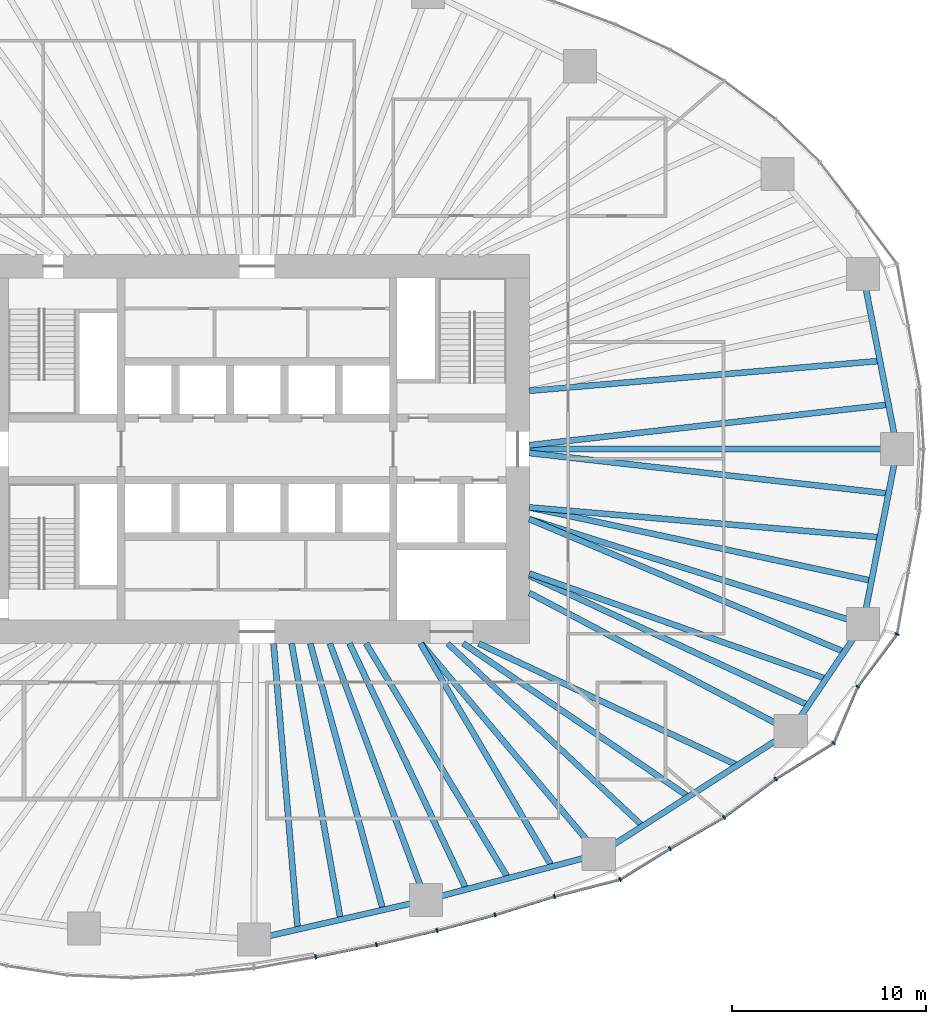
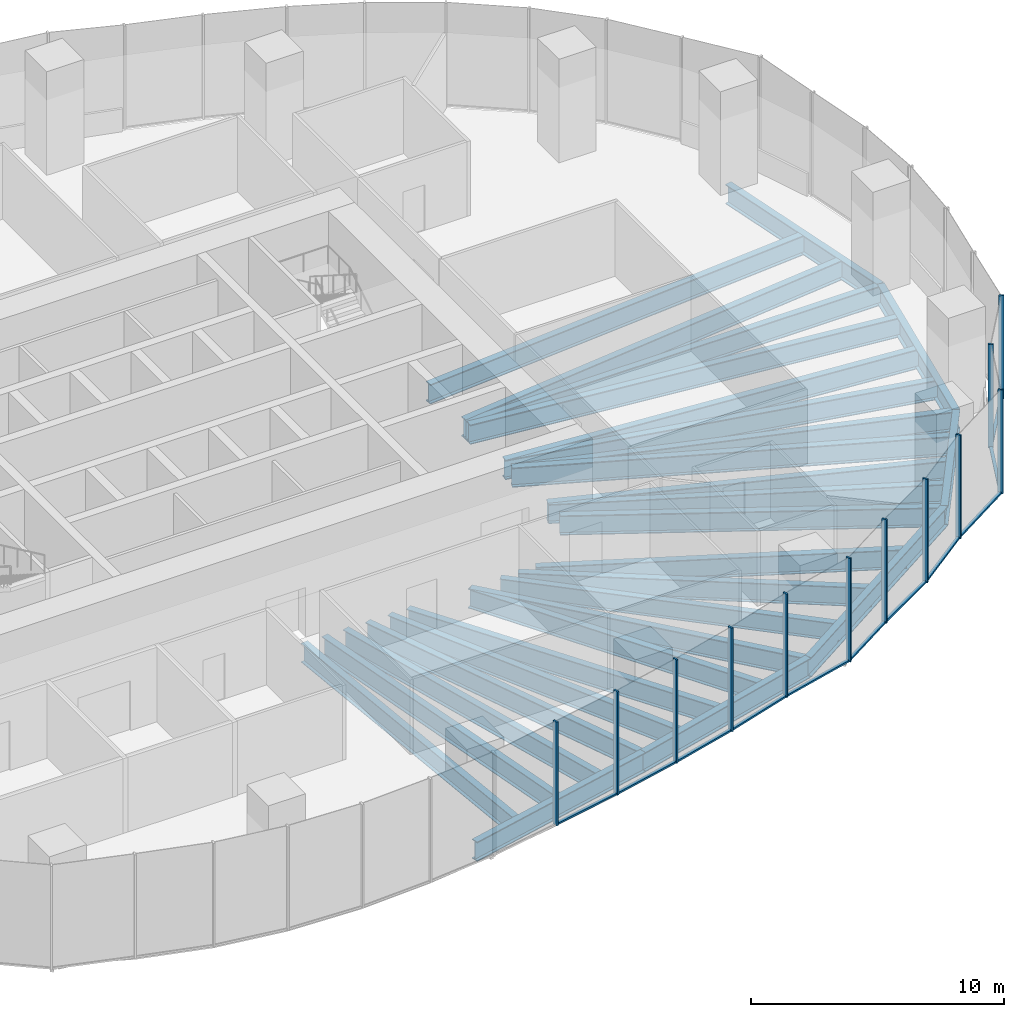
# One storey, part 4 of 20: 28 beams, 23 members, 5 elements without a shape of their own.
"""IFC4 building model written with IfcOpenShell, lengths in metres."""

from ifc_helpers import new_model, si_unit, direction, frame, origin, origin_2d, place, context, subcontext, project, spatial, rectangle, i_section, extrude, material, material_profile, profile_set, type_object, element, aggregate, save


model = new_model("IFC4")

# Units and contexts
model_context = context("Model", 3, precision=1e-05, world=origin(), true_north=direction((0.0, 1.0)))
body_context = subcontext(model_context, "Body", "Model", "MODEL_VIEW")
ifc_project = project(units=[si_unit("LENGTHUNIT", "METRE"), si_unit("AREAUNIT", "SQUARE_METRE"), si_unit("VOLUMEUNIT", "CUBIC_METRE"), si_unit("PLANEANGLEUNIT", "RADIAN"), si_unit("MASSUNIT", "GRAM", prefix="KILO")], contexts=[model_context])

# Site, building, storey
site_placement = place(None, origin())
site = spatial("IfcSite", under=ifc_project, at=site_placement, CompositionType="ELEMENT")
building_placement = place(site_placement, origin())
building = spatial("IfcBuilding", under=site, at=building_placement, Name="Ghaith Harvest Tower", CompositionType="ELEMENT")
storey_placement = place(building_placement, frame((0.0, 0.0, 65.0)))
storey = spatial("IfcBuildingStorey", under=building, at=storey_placement, Name="L13", CompositionType="ELEMENT", Elevation=65.0)

# Curtain wall, members
ifc_material_1 = material(Name="Black anodised aluminium and fritted glass", Category="aluminium")
curtain_wall_type = type_object("IfcCurtainWallType", Name="CW-F CURTAIN WALL", PredefinedType="NOTDEFINED", material=ifc_material_1)
curtain_wall_1_placement = place(storey_placement, origin())
curtain_wall_1 = element("IfcCurtainWall", 1, at=curtain_wall_1_placement, inside=storey, type_object=curtain_wall_type, Name="Curtain wall CW-F bay 16 L13", PredefinedType="NOTDEFINED")
ifc_material_2 = material(Name="Aluminium, black anodised", Category="aluminium")
ifc_material_profile_1 = material_profile(ifc_material_2, rectangle(XDim=0.080078125, YDim=0.219970703125, at=origin_2d()), Name="CW-F MULLION 80x220")
ifc_profile_set_1 = profile_set([ifc_material_profile_1], Name="Aluminium, black anodised")
member_type_1 = type_object("IfcMemberType", Name="CW-F MULLION 80x220", PredefinedType="MULLION", material=ifc_profile_set_1)
member_1_placement = place(storey_placement, frame((3.00927734375, -26.123291015625, 0.0), z_axis=(0.0, 0.0, 1.0), x_axis=(0.981818445714, 0.189822389762, 0.0)))
member_1 = element("IfcMember", 2, at=member_1_placement, type_object=member_type_1, Name="CW-F mullion 2 bay 16 L13", PredefinedType="MULLION", context=body_context, shape_type="SweptSolid", body=[
    extrude(rectangle(XDim=0.080078125, YDim=0.219970703125, at=origin_2d()), origin(), (0.0, 0.0, 1.0), 5.0),
])
member_2_placement = place(storey_placement, frame((6.136962890625, -25.495361328125, 0.0), z_axis=(0.0, 0.0, 1.0), x_axis=(0.977117973572, 0.212698062336, 0.0)))
member_2 = element("IfcMember", 3, at=member_2_placement, type_object=member_type_1, Name="CW-F mullion 3 bay 16 L13", PredefinedType="MULLION", context=body_context, shape_type="SweptSolid", body=[
    extrude(rectangle(XDim=0.080078125, YDim=0.219970703125, at=origin_2d()), origin(), (0.0, 0.0, 1.0), 5.0),
])

curtain_wall_2_placement = place(storey_placement, origin())
curtain_wall_2 = element("IfcCurtainWall", 4, at=curtain_wall_2_placement, inside=storey, type_object=curtain_wall_type, Name="Curtain wall CW-F bay 17 L13", PredefinedType="NOTDEFINED")
member_3_placement = place(storey_placement, frame((9.25732421875, -24.76318359375, 0.0), z_axis=(0.0, 0.0, 1.0), x_axis=(0.969903429248, 0.24348991341, 0.0)))
member_3 = element("IfcMember", 5, at=member_3_placement, type_object=member_type_1, Name="CW-F mullion 1 bay 17 L13", PredefinedType="MULLION", context=body_context, shape_type="SweptSolid", body=[
    extrude(rectangle(XDim=0.080078125, YDim=0.219970703125, at=origin_2d()), origin(), (0.0, 0.0, 1.0), 5.0),
])
member_4_placement = place(storey_placement, frame((12.234375, -23.964599609375, 0.0), z_axis=(0.0, 0.0, 1.0), x_axis=(0.960502189734, 0.278272426799, 0.0)))
member_4 = element("IfcMember", 6, at=member_4_placement, type_object=member_type_1, Name="CW-F mullion 2 bay 17 L13", PredefinedType="MULLION", context=body_context, shape_type="SweptSolid", body=[
    extrude(rectangle(XDim=0.080078125, YDim=0.219970703125, at=origin_2d()), origin(), (0.0, 0.0, 1.0), 5.0),
])
member_5_placement = place(storey_placement, frame((15.28759765625, -23.01611328125, 0.0), z_axis=(0.0, 0.0, 1.0), x_axis=(0.962313144018, 0.27194376781, 0.0)))
member_5 = element("IfcMember", 7, at=member_5_placement, type_object=member_type_1, Name="CW-F mullion 3 bay 17 L13", PredefinedType="MULLION", context=body_context, shape_type="SweptSolid", body=[
    extrude(rectangle(XDim=0.080078125, YDim=0.219970703125, at=origin_2d()), origin(), (0.0, 0.0, 1.0), 5.0),
])

curtain_wall_3_placement = place(storey_placement, origin())
curtain_wall_3 = element("IfcCurtainWall", 8, at=curtain_wall_3_placement, inside=storey, type_object=curtain_wall_type, Name="Curtain wall CW-F bay 18 L13", PredefinedType="NOTDEFINED")
member_6_placement = place(storey_placement, frame((18.674072265625, -22.144775390625, 0.0), z_axis=(0.0, 0.0, 1.0), x_axis=(0.923910199299, 0.382609387799, 0.0)))
member_6 = element("IfcMember", 9, at=member_6_placement, type_object=member_type_1, Name="CW-F mullion 1 bay 18 L13", PredefinedType="MULLION", context=body_context, shape_type="SweptSolid", body=[
    extrude(rectangle(XDim=0.080078125, YDim=0.219970703125, at=origin_2d()), origin(), (0.0, 0.0, 1.0), 5.0),
])
member_7_placement = place(storey_placement, frame((21.2353515625, -20.552978515625, 0.0), z_axis=(0.0, 0.0, 1.0), x_axis=(0.858140414942, 0.513415064293, 0.0)))
member_7 = element("IfcMember", 10, at=member_7_placement, type_object=member_type_1, Name="CW-F mullion 2 bay 18 L13", PredefinedType="MULLION", context=body_context, shape_type="SweptSolid", body=[
    extrude(rectangle(XDim=0.080078125, YDim=0.219970703125, at=origin_2d()), origin(), (0.0, 0.0, 1.0), 5.0),
])
member_8_placement = place(storey_placement, frame((24.018310546875, -18.947265625, 0.0), z_axis=(0.0, 0.0, 1.0), x_axis=(0.835443516838, 0.549576318788, 0.0)))
member_8 = element("IfcMember", 11, at=member_8_placement, type_object=member_type_1, Name="CW-F mullion 3 bay 18 L13", PredefinedType="MULLION", context=body_context, shape_type="SweptSolid", body=[
    extrude(rectangle(XDim=0.080078125, YDim=0.219970703125, at=origin_2d()), origin(), (0.0, 0.0, 1.0), 5.0),
])

curtain_wall_4_placement = place(storey_placement, origin())
curtain_wall_4 = element("IfcCurtainWall", 12, at=curtain_wall_4_placement, inside=storey, type_object=curtain_wall_type, Name="Curtain wall CW-F bay 19 L13", PredefinedType="NOTDEFINED")
member_9_placement = place(storey_placement, frame((26.673828125, -16.9755859375, 0.0), z_axis=(0.0, 0.0, 1.0), x_axis=(0.828002038115, 0.560725088504, 0.0)))
member_9 = element("IfcMember", 13, at=member_9_placement, type_object=member_type_1, Name="CW-F mullion 1 bay 19 L13", PredefinedType="MULLION", context=body_context, shape_type="SweptSolid", body=[
    extrude(rectangle(XDim=0.080078125, YDim=0.219970703125, at=origin_2d()), origin(), (0.0, 0.0, 1.0), 5.0),
])
member_10_placement = place(storey_placement, frame((29.659912109375, -15.126953125, 0.0), z_axis=(0.0, 0.0, 1.0), x_axis=(0.663604797505, 0.748083332743, 0.0)))
member_10 = element("IfcMember", 14, at=member_10_placement, type_object=member_type_1, Name="CW-F mullion 2 bay 19 L13", PredefinedType="MULLION", context=body_context, shape_type="SweptSolid", body=[
    extrude(rectangle(XDim=0.080078125, YDim=0.219970703125, at=origin_2d()), origin(), (0.0, 0.0, 1.0), 5.0),
])
member_11_placement = place(storey_placement, frame((30.896728515625, -12.215087890625, 0.0), z_axis=(0.0, 0.0, 1.0), x_axis=(0.5027946428, 0.864405892606, 0.0)))
member_11 = element("IfcMember", 15, at=member_11_placement, type_object=member_type_1, Name="CW-F mullion 3 bay 19 L13", PredefinedType="MULLION", context=body_context, shape_type="SweptSolid", body=[
    extrude(rectangle(XDim=0.080078125, YDim=0.219970703125, at=origin_2d()), origin(), (0.0, 0.0, 1.0), 5.0),
])

# Curtain wall, member
curtain_wall_5_placement = place(storey_placement, origin())
curtain_wall_5 = element("IfcCurtainWall", 16, at=curtain_wall_5_placement, inside=storey, type_object=curtain_wall_type, Name="Curtain wall CW-F bay 20 L13", PredefinedType="NOTDEFINED")
member_12_placement = place(storey_placement, frame((32.923583984375, -9.515625, 0.0), z_axis=(0.0, 0.0, 1.0), x_axis=(0.404701694001, 0.914448762301, 0.0)))
member_12 = element("IfcMember", 17, at=member_12_placement, type_object=member_type_1, Name="CW-F mullion 1 bay 20 L13", PredefinedType="MULLION", context=body_context, shape_type="SweptSolid", body=[
    extrude(rectangle(XDim=0.080078125, YDim=0.219970703125, at=origin_2d()), origin(), (0.0, 0.0, 1.0), 5.0),
])
aggregate(curtain_wall_5, [member_12])

# Member
ifc_material_3 = material(Name="Aluminium, black anodised", Category="aluminium")
ifc_material_profile_2 = material_profile(ifc_material_3, rectangle(XDim=0.139892578125, YDim=0.080078125, at=origin_2d()), Name="CW-F TRANSOM 140x80")
ifc_profile_set_2 = profile_set([ifc_material_profile_2], Name="Aluminium, black anodised")
member_type_2 = type_object("IfcMemberType", Name="CW-F TRANSOM 140x80", PredefinedType="USERDEFINED", material=ifc_profile_set_2)
member_13_placement = place(storey_placement, frame((3.04833984375, -26.115478515625, 0.0400390625), z_axis=(0.980432471193, 0.196855707129, 0.0), x_axis=(-0.196855707129, 0.980432471193, 0.0)))
member_13 = element("IfcMember", 18, at=member_13_placement, type_object=member_type_2, Name="CW-F transom 2 bay 16 L13", ObjectType="TRANSOM", PredefinedType="USERDEFINED", context=body_context, shape_type="SweptSolid", body=[
    extrude(rectangle(XDim=0.139892578125, YDim=0.080078125, at=origin_2d()), origin(), (0.0, 0.0, 1.0), 3.1103515625),
])

member_14_placement = place(storey_placement, frame((6.176025390625, -25.486083984375, 0.0400390625), z_axis=(0.973560415159, 0.228429678537, 0.0), x_axis=(-0.228429678537, 0.973560415159, 0.0)))
member_14 = element("IfcMember", 19, at=member_14_placement, type_object=member_type_2, Name="CW-F transom 3 bay 16 L13", ObjectType="TRANSOM", PredefinedType="USERDEFINED", context=body_context, shape_type="SweptSolid", body=[
    extrude(rectangle(XDim=0.139892578125, YDim=0.080078125, at=origin_2d()), origin(), (0.0, 0.0, 1.0), 3.125),
])

aggregate(curtain_wall_1, [member_1, member_13, member_2, member_14])

member_15_placement = place(storey_placement, frame((9.2958984375, -24.7529296875, 0.0400390625), z_axis=(0.965832908495, 0.259165570377, 0.0), x_axis=(-0.259165570377, 0.965832908495, 0.0)))
member_15 = element("IfcMember", 20, at=member_15_placement, type_object=member_type_2, Name="CW-F transom 1 bay 17 L13", ObjectType="TRANSOM", PredefinedType="USERDEFINED", context=body_context, shape_type="SweptSolid", body=[
    extrude(rectangle(XDim=0.139892578125, YDim=0.080078125, at=origin_2d()), origin(), (0.0, 0.0, 1.0), 3.002197265625),
])

member_16_placement = place(storey_placement, frame((12.2724609375, -23.95263671875, 0.0400390625), z_axis=(0.954998362353, 0.296611071781, 0.0), x_axis=(-0.296611071781, 0.954998362353, 0.0)))
member_16 = element("IfcMember", 21, at=member_16_placement, type_object=member_type_2, Name="CW-F transom 2 bay 17 L13", ObjectType="TRANSOM", PredefinedType="USERDEFINED", context=body_context, shape_type="SweptSolid", body=[
    extrude(rectangle(XDim=0.139892578125, YDim=0.080078125, at=origin_2d()), origin(), (0.0, 0.0, 1.0), 3.1171875),
])

member_17_placement = place(storey_placement, frame((15.326171875, -23.006103515625, 0.0400390625), z_axis=(0.968463874592, 0.249154015841, 0.0), x_axis=(-0.249154015841, 0.968463874592, 0.0)))
member_17 = element("IfcMember", 22, at=member_17_placement, type_object=member_type_2, Name="CW-F transom 3 bay 17 L13", ObjectType="TRANSOM", PredefinedType="USERDEFINED", context=body_context, shape_type="SweptSolid", body=[
    extrude(rectangle(XDim=0.139892578125, YDim=0.080078125, at=origin_2d()), origin(), (0.0, 0.0, 1.0), 3.416748046875),
])

aggregate(curtain_wall_2, [member_3, member_15, member_4, member_16, member_5, member_17])

member_18_placement = place(storey_placement, frame((18.7080078125, -22.12353515625, 0.0400390625), z_axis=(0.849383069026, 0.527776848726, 0.0), x_axis=(-0.527776848726, 0.849383069026, 0.0)))
member_18 = element("IfcMember", 23, at=member_18_placement, type_object=member_type_2, Name="CW-F transom 1 bay 18 L13", ObjectType="TRANSOM", PredefinedType="USERDEFINED", context=body_context, shape_type="SweptSolid", body=[
    extrude(rectangle(XDim=0.139892578125, YDim=0.080078125, at=origin_2d()), origin(), (0.0, 0.0, 1.0), 2.935546875),
])

member_19_placement = place(storey_placement, frame((21.27001953125, -20.532958984375, 0.0400390625), z_axis=(0.866168719914, 0.499751686983, 0.0), x_axis=(-0.499751686983, 0.866168719914, 0.0)))
member_19 = element("IfcMember", 24, at=member_19_placement, type_object=member_type_2, Name="CW-F transom 2 bay 18 L13", ObjectType="TRANSOM", PredefinedType="USERDEFINED", context=body_context, shape_type="SweptSolid", body=[
    extrude(rectangle(XDim=0.139892578125, YDim=0.080078125, at=origin_2d()), origin(), (0.0, 0.0, 1.0), 3.1328125),
])

member_20_placement = place(storey_placement, frame((24.050537109375, -18.92333984375, 0.0400390625), z_axis=(0.802877287823, 0.596144328748, 0.0), x_axis=(-0.596144328748, 0.802877287823, 0.0)))
member_20 = element("IfcMember", 25, at=member_20_placement, type_object=member_type_2, Name="CW-F transom 3 bay 18 L13", ObjectType="TRANSOM", PredefinedType="USERDEFINED", context=body_context, shape_type="SweptSolid", body=[
    extrude(rectangle(XDim=0.139892578125, YDim=0.080078125, at=origin_2d()), origin(), (0.0, 0.0, 1.0), 3.2275390625),
])

aggregate(curtain_wall_3, [member_6, member_18, member_7, member_19, member_8, member_20])

member_21_placement = place(storey_placement, frame((26.707763671875, -16.954345703125, 0.0400390625), z_axis=(0.850260598386, 0.526361961802, 0.0), x_axis=(-0.526361961802, 0.850260598386, 0.0)))
member_21 = element("IfcMember", 26, at=member_21_placement, type_object=member_type_2, Name="CW-F transom 1 bay 19 L13", ObjectType="TRANSOM", PredefinedType="USERDEFINED", context=body_context, shape_type="SweptSolid", body=[
    extrude(rectangle(XDim=0.139892578125, YDim=0.080078125, at=origin_2d()), origin(), (0.0, 0.0, 1.0), 3.431884765625),
])

member_22_placement = place(storey_placement, frame((29.675537109375, -15.090087890625, 0.0400390625), z_axis=(0.390936107494, 0.92041781809, 0.0), x_axis=(-0.92041781809, 0.390936107494, 0.0)))
member_22 = element("IfcMember", 27, at=member_22_placement, type_object=member_type_2, Name="CW-F transom 2 bay 19 L13", ObjectType="TRANSOM", PredefinedType="USERDEFINED", context=body_context, shape_type="SweptSolid", body=[
    extrude(rectangle(XDim=0.139892578125, YDim=0.080078125, at=origin_2d()), origin(), (0.0, 0.0, 1.0), 3.083740234375),
])

member_23_placement = place(storey_placement, frame((30.920654296875, -12.18310546875, 0.0400390625), z_axis=(0.600462135687, 0.799653189581, 0.0), x_axis=(-0.799653189581, 0.600462135687, 0.0)))
member_23 = element("IfcMember", 28, at=member_23_placement, type_object=member_type_2, Name="CW-F transom 3 bay 19 L13", ObjectType="TRANSOM", PredefinedType="USERDEFINED", context=body_context, shape_type="SweptSolid", body=[
    extrude(rectangle(XDim=0.139892578125, YDim=0.080078125, at=origin_2d()), origin(), (0.0, 0.0, 1.0), 3.2958984375),
])

aggregate(curtain_wall_4, [member_9, member_21, member_10, member_22, member_11, member_23])

# Beams
ifc_material_4 = material(Name="Steel ASTM A992 Grade 50", Category="steel")
ifc_material_profile_3 = material_profile(ifc_material_4, i_section(OverallWidth=0.306884765625, OverallDepth=0.94189453125, WebThickness=0.022216796875, FlangeThickness=0.039794921875, at=origin_2d()), Name="W920X345")
ifc_profile_set_3 = profile_set([ifc_material_profile_3], Name="Steel ASTM A992 Grade 50")
beam_type_1 = type_object("IfcBeamType", Name="E920-345 W920X345", PredefinedType="SPANDREL", material=ifc_profile_set_3)
beam_1_placement = place(storey_placement, frame((32.925048828125, 0.0, -0.6708984375), z_axis=(-0.191653479461, 0.981462655332, 0.0), x_axis=(-0.981462655332, -0.191653479461, 0.0)))
element("IfcBeam", 29, at=beam_1_placement, inside=storey, type_object=beam_type_1, Name="Edge beam E01 L13", PredefinedType="SPANDREL", context=body_context, shape_type="SweptSolid", body=[
    extrude(i_section(OverallWidth=0.306884765625, OverallDepth=0.94189453125, WebThickness=0.022216796875, FlangeThickness=0.039794921875, at=origin_2d()), origin(), (0.0, 0.0, 1.0), 9.17822265625),
])
beam_2_placement = place(storey_placement, frame((-0.173095703125, -25.22412109375, -0.6708984375), z_axis=(0.974881709383, 0.22272326486, 0.0), x_axis=(-0.22272326486, 0.974881709383, 0.0)))
element("IfcBeam", 30, at=beam_2_placement, inside=storey, type_object=beam_type_1, Name="Edge beam E16 L13", PredefinedType="SPANDREL", context=body_context, shape_type="SweptSolid", body=[
    extrude(i_section(OverallWidth=0.306884765625, OverallDepth=0.94189453125, WebThickness=0.022216796875, FlangeThickness=0.039794921875, at=origin_2d()), origin(), (0.0, 0.0, 1.0), 9.0751953125),
])
beam_3_placement = place(storey_placement, frame((8.674072265625, -23.202880859375, -0.6708984375), z_axis=(0.966419097109, 0.256971065963, 0.0), x_axis=(-0.256971065963, 0.966419097109, 0.0)))
element("IfcBeam", 31, at=beam_3_placement, inside=storey, type_object=beam_type_1, Name="Edge beam E17 L13", PredefinedType="SPANDREL", context=body_context, shape_type="SweptSolid", body=[
    extrude(i_section(OverallWidth=0.306884765625, OverallDepth=0.94189453125, WebThickness=0.022216796875, FlangeThickness=0.039794921875, at=origin_2d()), origin(), (0.0, 0.0, 1.0), 9.20703125),
])
beam_4_placement = place(storey_placement, frame((17.572021484375, -20.8369140625, -0.6708984375), z_axis=(0.842014649705, 0.539454659524, 0.0), x_axis=(-0.539454659524, 0.842014649705, 0.0)))
element("IfcBeam", 32, at=beam_4_placement, inside=storey, type_object=beam_type_1, Name="Edge beam E18 L13", PredefinedType="SPANDREL", context=body_context, shape_type="SweptSolid", body=[
    extrude(i_section(OverallWidth=0.306884765625, OverallDepth=0.94189453125, WebThickness=0.022216796875, FlangeThickness=0.039794921875, at=origin_2d()), origin(), (0.0, 0.0, 1.0), 11.730224609375),
])
beam_5_placement = place(storey_placement, frame((27.448974609375, -14.509033203125, -0.6708984375), z_axis=(0.559874470017, 0.828577442261, 0.0), x_axis=(-0.828577442261, 0.559874470017, 0.0)))
element("IfcBeam", 33, at=beam_5_placement, inside=storey, type_object=beam_type_1, Name="Edge beam E19 L13", PredefinedType="SPANDREL", context=body_context, shape_type="SweptSolid", body=[
    extrude(i_section(OverallWidth=0.306884765625, OverallDepth=0.94189453125, WebThickness=0.022216796875, FlangeThickness=0.039794921875, at=origin_2d()), origin(), (0.0, 0.0, 1.0), 6.63916015625),
])
beam_6_placement = place(storey_placement, frame((31.166015625, -9.008056640625, -0.6708984375), z_axis=(0.191653479461, 0.981462655332, 0.0), x_axis=(-0.981462655332, 0.191653479461, 0.0)))
element("IfcBeam", 34, at=beam_6_placement, inside=storey, type_object=beam_type_1, Name="Edge beam E20 L13", PredefinedType="SPANDREL", context=body_context, shape_type="SweptSolid", body=[
    extrude(i_section(OverallWidth=0.306884765625, OverallDepth=0.94189453125, WebThickness=0.022216796875, FlangeThickness=0.039794921875, at=origin_2d()), origin(), (0.0, 0.0, 1.0), 9.17822265625),
])
ifc_material_5 = material(Name="Steel ASTM A992 Grade 50", Category="steel")
ifc_material_profile_4 = material_profile(ifc_material_5, i_section(OverallWidth=0.306884765625, OverallDepth=0.94189453125, WebThickness=0.022216796875, FlangeThickness=0.039794921875, at=origin_2d()), Name="W920X345")
ifc_profile_set_4 = profile_set([ifc_material_profile_4], Name="Steel ASTM A992 Grade 50")
beam_type_2 = type_object("IfcBeamType", Name="G920-345 W920X345", PredefinedType="BEAM", material=ifc_profile_set_4)
beam_7_placement = place(storey_placement, frame((14.0, 0.0, -0.6708984375), z_axis=(1.0, 0.0, 0.0), x_axis=(0.0, 1.0, 0.0)))
element("IfcBeam", 35, at=beam_7_placement, inside=storey, type_object=beam_type_2, Name="Radial girder G01 L13", PredefinedType="BEAM", context=body_context, shape_type="SweptSolid", body=[
    extrude(i_section(OverallWidth=0.306884765625, OverallDepth=0.94189453125, WebThickness=0.022216796875, FlangeThickness=0.039794921875, at=origin_2d()), origin(), (0.0, 0.0, 1.0), 18.925048828125),
])
beam_8_placement = place(storey_placement, frame((3.73828125, -10.0, -0.6708984375), z_axis=(0.350172283717, -0.936685310932, 0.0), x_axis=(0.936685310932, 0.350172283717, 0.0)))
element("IfcBeam", 36, at=beam_8_placement, inside=storey, type_object=beam_type_2, Name="Radial girder G17 L13", PredefinedType="BEAM", context=body_context, shape_type="SweptSolid", body=[
    extrude(i_section(OverallWidth=0.306884765625, OverallDepth=0.94189453125, WebThickness=0.022216796875, FlangeThickness=0.039794921875, at=origin_2d()), origin(), (0.0, 0.0, 1.0), 14.09521484375),
])
beam_9_placement = place(storey_placement, frame((8.4326171875, -10.0, -0.6708984375), z_axis=(0.644696130938, -0.764438943771, 0.0), x_axis=(0.764438943771, 0.644696130938, 0.0)))
element("IfcBeam", 37, at=beam_9_placement, inside=storey, type_object=beam_type_2, Name="Radial girder G18 L13", PredefinedType="BEAM", context=body_context, shape_type="SweptSolid", body=[
    extrude(i_section(OverallWidth=0.306884765625, OverallDepth=0.94189453125, WebThickness=0.022216796875, FlangeThickness=0.039794921875, at=origin_2d()), origin(), (0.0, 0.0, 1.0), 14.17626953125),
])
beam_10_placement = place(storey_placement, frame((14.0, -7.39990234375, -0.6708984375), z_axis=(0.884084425997, -0.467327216959, 0.0), x_axis=(0.467327216959, 0.884084425997, 0.0)))
element("IfcBeam", 38, at=beam_10_placement, inside=storey, type_object=beam_type_2, Name="Radial girder G19 L13", PredefinedType="BEAM", context=body_context, shape_type="SweptSolid", body=[
    extrude(i_section(OverallWidth=0.306884765625, OverallDepth=0.94189453125, WebThickness=0.022216796875, FlangeThickness=0.039794921875, at=origin_2d()), origin(), (0.0, 0.0, 1.0), 15.21240234375),
])
beam_11_placement = place(storey_placement, frame((14.0, -3.60009765625, -0.6708984375), z_axis=(0.953788071692, -0.300480139607, 0.0), x_axis=(0.300480139607, 0.953788071692, 0.0)))
element("IfcBeam", 39, at=beam_11_placement, inside=storey, type_object=beam_type_2, Name="Radial girder G20 L13", PredefinedType="BEAM", context=body_context, shape_type="SweptSolid", body=[
    extrude(i_section(OverallWidth=0.306884765625, OverallDepth=0.94189453125, WebThickness=0.022216796875, FlangeThickness=0.039794921875, at=origin_2d()), origin(), (0.0, 0.0, 1.0), 17.997802734375),
])
ifc_material_6 = material(Name="Steel ASTM A992 Grade 50", Category="steel")
ifc_material_profile_5 = material_profile(ifc_material_6, i_section(OverallWidth=0.2939453125, OverallDepth=0.85107421875, WebThickness=0.01611328125, FlangeThickness=0.02685546875, at=origin_2d()), Name="W840X226")
ifc_profile_set_5 = profile_set([ifc_material_profile_5], Name="Steel ASTM A992 Grade 50")
beam_type_3 = type_object("IfcBeamType", Name="J840-226 W840X226", PredefinedType="JOIST", material=ifc_profile_set_5)
beam_12_placement = place(storey_placement, frame((9.800048828125, -10.0, -0.62548828125), z_axis=(0.72994990542, -0.683500647825, 0.0), x_axis=(0.683500647825, 0.72994990542, 0.0)))
element("IfcBeam", 40, at=beam_12_placement, inside=storey, type_object=beam_type_3, Name="Joist J18.1 L13", PredefinedType="JOIST", context=body_context, shape_type="SweptSolid", body=[
    extrude(i_section(OverallWidth=0.2939453125, OverallDepth=0.85107421875, WebThickness=0.01611328125, FlangeThickness=0.02685546875, at=origin_2d()), origin(), (0.0, 0.0, 1.0), 13.7392578125),
])
ifc_material_7 = material(Name="Steel ASTM A992 Grade 50", Category="steel")
ifc_material_profile_6 = material_profile(ifc_material_7, i_section(OverallWidth=0.31005859375, OverallDepth=0.927001953125, WebThickness=0.019287109375, FlangeThickness=0.031982421875, at=origin_2d()), Name="W920X289")
ifc_profile_set_6 = profile_set([ifc_material_profile_6], Name="Steel ASTM A992 Grade 50")
beam_type_4 = type_object("IfcBeamType", Name="J920-289 W920X289", PredefinedType="JOIST", material=ifc_profile_set_6)
beam_13_placement = place(storey_placement, frame((0.844970703125, -10.0, -0.66357421875), z_axis=(0.084208979751, -0.996448115924, 0.0), x_axis=(0.996448115924, 0.084208979751, 0.0)))
element("IfcBeam", 41, at=beam_13_placement, inside=storey, type_object=beam_type_4, Name="Joist J16.1 L13", PredefinedType="JOIST", context=body_context, shape_type="SweptSolid", body=[
    extrude(i_section(OverallWidth=0.31005859375, OverallDepth=0.927001953125, WebThickness=0.019287109375, FlangeThickness=0.031982421875, at=origin_2d()), origin(), (0.0, 0.0, 1.0), 14.760009765625),
])
beam_14_placement = place(storey_placement, frame((1.772705078125, -10.0, -0.66357421875), z_axis=(0.174552818486, -0.98464781194, 0.0), x_axis=(0.98464781194, 0.174552818486, 0.0)))
element("IfcBeam", 42, at=beam_14_placement, inside=storey, type_object=beam_type_4, Name="Joist J16.2 L13", PredefinedType="JOIST", context=body_context, shape_type="SweptSolid", body=[
    extrude(i_section(OverallWidth=0.31005859375, OverallDepth=0.927001953125, WebThickness=0.019287109375, FlangeThickness=0.031982421875, at=origin_2d()), origin(), (0.0, 0.0, 1.0), 14.42578125),
])
beam_15_placement = place(storey_placement, frame((2.73095703125, -10.0, -0.66357421875), z_axis=(0.263463446032, -0.964669379946, 0.0), x_axis=(0.964669379946, 0.263463446032, 0.0)))
element("IfcBeam", 43, at=beam_15_placement, inside=storey, type_object=beam_type_4, Name="Joist J16.3 L13", PredefinedType="JOIST", context=body_context, shape_type="SweptSolid", body=[
    extrude(i_section(OverallWidth=0.31005859375, OverallDepth=0.927001953125, WebThickness=0.019287109375, FlangeThickness=0.031982421875, at=origin_2d()), origin(), (0.0, 0.0, 1.0), 14.20751953125),
])
beam_16_placement = place(storey_placement, frame((4.75, -10.0, -0.66357421875), z_axis=(0.429067127754, -0.903272605519, 0.0), x_axis=(0.903272605519, 0.429067127754, 0.0)))
element("IfcBeam", 44, at=beam_16_placement, inside=storey, type_object=beam_type_4, Name="Joist J17.1 L13", PredefinedType="JOIST", context=body_context, shape_type="SweptSolid", body=[
    extrude(i_section(OverallWidth=0.31005859375, OverallDepth=0.927001953125, WebThickness=0.019287109375, FlangeThickness=0.031982421875, at=origin_2d()), origin(), (0.0, 0.0, 1.0), 14.003173828125),
])
beam_17_placement = place(storey_placement, frame((5.60009765625, -10.0, -0.66357421875), z_axis=(0.517828660199, -0.855484353262, 0.0), x_axis=(0.855484353262, 0.517828660199, 0.0)))
element("IfcBeam", 45, at=beam_17_placement, inside=storey, type_object=beam_type_4, Name="Joist J17.2 L13", PredefinedType="JOIST", context=body_context, shape_type="SweptSolid", body=[
    extrude(i_section(OverallWidth=0.31005859375, OverallDepth=0.927001953125, WebThickness=0.019287109375, FlangeThickness=0.031982421875, at=origin_2d()), origin(), (0.0, 0.0, 1.0), 14.11669921875),
])
beam_18_placement = place(storey_placement, frame((8.39990234375, -10.0, -0.66357421875), z_axis=(0.507894375661, -0.861419353841, 0.0), x_axis=(0.861419353841, 0.507894375661, 0.0)))
element("IfcBeam", 46, at=beam_18_placement, inside=storey, type_object=beam_type_4, Name="Joist J17.3 L13", PredefinedType="JOIST", context=body_context, shape_type="SweptSolid", body=[
    extrude(i_section(OverallWidth=0.31005859375, OverallDepth=0.927001953125, WebThickness=0.019287109375, FlangeThickness=0.031982421875, at=origin_2d()), origin(), (0.0, 0.0, 1.0), 13.32275390625),
])
beam_19_placement = place(storey_placement, frame((10.60009765625, -10.0, -0.66357421875), z_axis=(0.826982555637, -0.562227580853, 0.0), x_axis=(0.562227580853, 0.826982555637, 0.0)))
element("IfcBeam", 47, at=beam_19_placement, inside=storey, type_object=beam_type_4, Name="Joist J18.2 L13", PredefinedType="JOIST", context=body_context, shape_type="SweptSolid", body=[
    extrude(i_section(OverallWidth=0.31005859375, OverallDepth=0.927001953125, WebThickness=0.019287109375, FlangeThickness=0.031982421875, at=origin_2d()), origin(), (0.0, 0.0, 1.0), 14.013671875),
])
beam_20_placement = place(storey_placement, frame((11.39990234375, -10.0, -0.66357421875), z_axis=(0.904709580205, -0.426028843489, 0.0), x_axis=(0.426028843489, 0.904709580205, 0.0)))
element("IfcBeam", 48, at=beam_20_placement, inside=storey, type_object=beam_type_4, Name="Joist J18.3 L13", PredefinedType="JOIST", context=body_context, shape_type="SweptSolid", body=[
    extrude(i_section(OverallWidth=0.31005859375, OverallDepth=0.927001953125, WebThickness=0.019287109375, FlangeThickness=0.031982421875, at=origin_2d()), origin(), (0.0, 0.0, 1.0), 14.708251953125),
])
beam_21_placement = place(storey_placement, frame((14.0, -6.506103515625, -0.66357421875), z_axis=(0.906865804441, -0.421419521067, 0.0), x_axis=(0.421419521067, 0.906865804441, 0.0)))
element("IfcBeam", 49, at=beam_21_placement, inside=storey, type_object=beam_type_4, Name="Joist J19.1 L13", PredefinedType="JOIST", context=body_context, shape_type="SweptSolid", body=[
    extrude(i_section(OverallWidth=0.31005859375, OverallDepth=0.927001953125, WebThickness=0.019287109375, FlangeThickness=0.031982421875, at=origin_2d()), origin(), (0.0, 0.0, 1.0), 15.824462890625),
])
ifc_material_8 = material(Name="Steel ASTM A992 Grade 50", Category="steel")
ifc_material_profile_7 = material_profile(ifc_material_8, i_section(OverallWidth=0.306884765625, OverallDepth=0.94189453125, WebThickness=0.022216796875, FlangeThickness=0.039794921875, at=origin_2d()), Name="W920X345")
ifc_profile_set_7 = profile_set([ifc_material_profile_7], Name="Steel ASTM A992 Grade 50")
beam_type_5 = type_object("IfcBeamType", Name="J920-345 W920X345", PredefinedType="JOIST", material=ifc_profile_set_7)
beam_22_placement = place(storey_placement, frame((14.0, 0.199951171875, -0.6708984375), z_axis=(0.993675458798, 0.112290171352, 0.0), x_axis=(-0.112290171352, 0.993675458798, 0.0)))
element("IfcBeam", 50, at=beam_22_placement, inside=storey, type_object=beam_type_5, Name="Joist J01.1 L13", PredefinedType="JOIST", context=body_context, shape_type="SweptSolid", body=[
    extrude(i_section(OverallWidth=0.306884765625, OverallDepth=0.94189453125, WebThickness=0.022216796875, FlangeThickness=0.039794921875, at=origin_2d()), origin(), (0.0, 0.0, 1.0), 18.595947265625),
])
beam_23_placement = place(storey_placement, frame((14.0, 3.0, -0.6708984375), z_axis=(0.996389274474, 0.084902377546, 0.0), x_axis=(-0.084902377546, 0.996389274474, 0.0)))
element("IfcBeam", 51, at=beam_23_placement, inside=storey, type_object=beam_type_5, Name="Joist J01.2 L13", PredefinedType="JOIST", context=body_context, shape_type="SweptSolid", body=[
    extrude(i_section(OverallWidth=0.306884765625, OverallDepth=0.94189453125, WebThickness=0.022216796875, FlangeThickness=0.039794921875, at=origin_2d()), origin(), (0.0, 0.0, 1.0), 18.1044921875),
])
beam_24_placement = place(storey_placement, frame((14.0, -6.39990234375, -0.6708984375), z_axis=(0.942399857711, -0.334488427581, 0.0), x_axis=(0.334488427581, 0.942399857711, 0.0)))
element("IfcBeam", 52, at=beam_24_placement, inside=storey, type_object=beam_type_5, Name="Joist J19.2 L13", PredefinedType="JOIST", context=body_context, shape_type="SweptSolid", body=[
    extrude(i_section(OverallWidth=0.306884765625, OverallDepth=0.94189453125, WebThickness=0.022216796875, FlangeThickness=0.039794921875, at=origin_2d()), origin(), (0.0, 0.0, 1.0), 16.199951171875),
])
beam_25_placement = place(storey_placement, frame((14.0, -3.60009765625, -0.6708984375), z_axis=(0.921432978784, -0.388537341333, 0.0), x_axis=(0.388537341333, 0.921432978784, 0.0)))
element("IfcBeam", 53, at=beam_25_placement, inside=storey, type_object=beam_type_5, Name="Joist J19.3 L13", PredefinedType="JOIST", context=body_context, shape_type="SweptSolid", body=[
    extrude(i_section(OverallWidth=0.306884765625, OverallDepth=0.94189453125, WebThickness=0.022216796875, FlangeThickness=0.039794921875, at=origin_2d()), origin(), (0.0, 0.0, 1.0), 17.585205078125),
])
beam_26_placement = place(storey_placement, frame((14.0, -3.0, -0.6708984375), z_axis=(0.977831380626, -0.209393865869, 0.0), x_axis=(0.209393865869, 0.977831380626, 0.0)))
element("IfcBeam", 54, at=beam_26_placement, inside=storey, type_object=beam_type_5, Name="Joist J20.1 L13", PredefinedType="JOIST", context=body_context, shape_type="SweptSolid", body=[
    extrude(i_section(OverallWidth=0.306884765625, OverallDepth=0.94189453125, WebThickness=0.022216796875, FlangeThickness=0.039794921875, at=origin_2d()), origin(), (0.0, 0.0, 1.0), 18.002197265625),
])
beam_27_placement = place(storey_placement, frame((14.0, -3.0, -0.6708984375), z_axis=(0.996389274474, -0.084902377546, 0.0), x_axis=(0.084902377546, 0.996389274474, 0.0)))
element("IfcBeam", 55, at=beam_27_placement, inside=storey, type_object=beam_type_5, Name="Joist J20.2 L13", PredefinedType="JOIST", context=body_context, shape_type="SweptSolid", body=[
    extrude(i_section(OverallWidth=0.306884765625, OverallDepth=0.94189453125, WebThickness=0.022216796875, FlangeThickness=0.039794921875, at=origin_2d()), origin(), (0.0, 0.0, 1.0), 18.1044921875),
])
beam_28_placement = place(storey_placement, frame((14.0, -0.199951171875, -0.6708984375), z_axis=(0.993675458798, -0.112290171352, 0.0), x_axis=(0.112290171352, 0.993675458798, 0.0)))
element("IfcBeam", 56, at=beam_28_placement, inside=storey, type_object=beam_type_5, Name="Joist J20.3 L13", PredefinedType="JOIST", context=body_context, shape_type="SweptSolid", body=[
    extrude(i_section(OverallWidth=0.306884765625, OverallDepth=0.94189453125, WebThickness=0.022216796875, FlangeThickness=0.039794921875, at=origin_2d()), origin(), (0.0, 0.0, 1.0), 18.595947265625),
])

save(model, "model.ifc")
